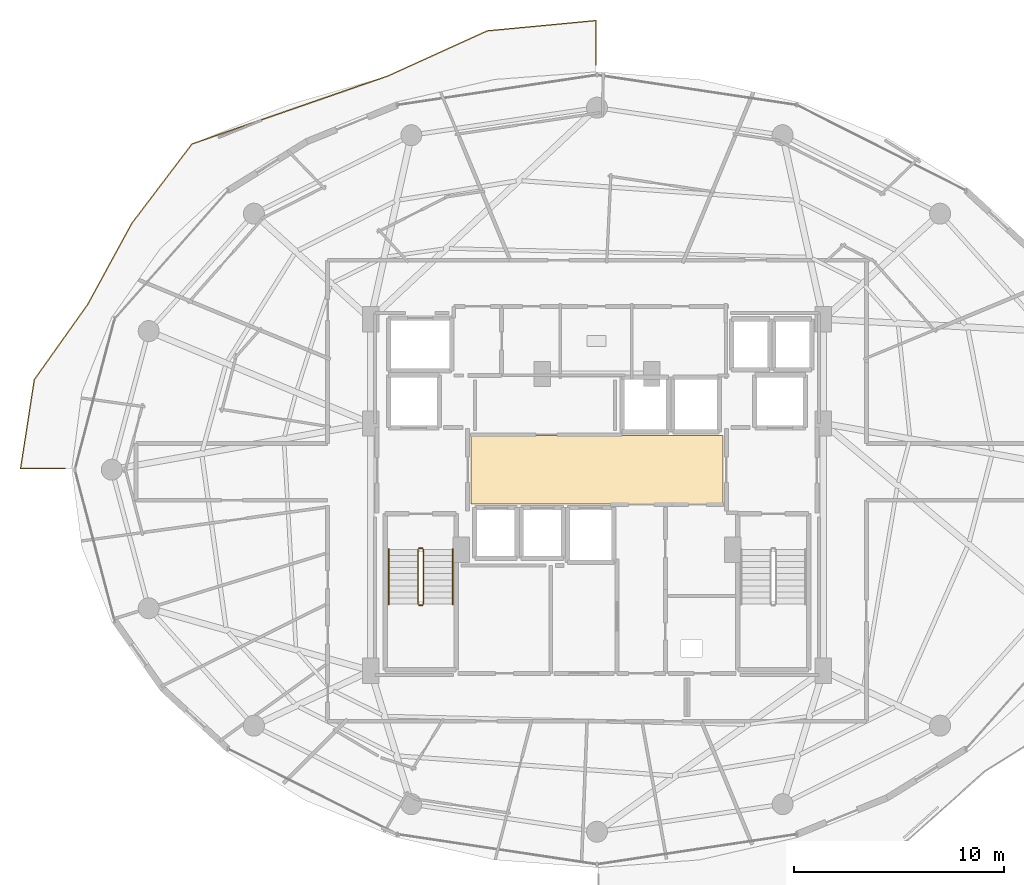
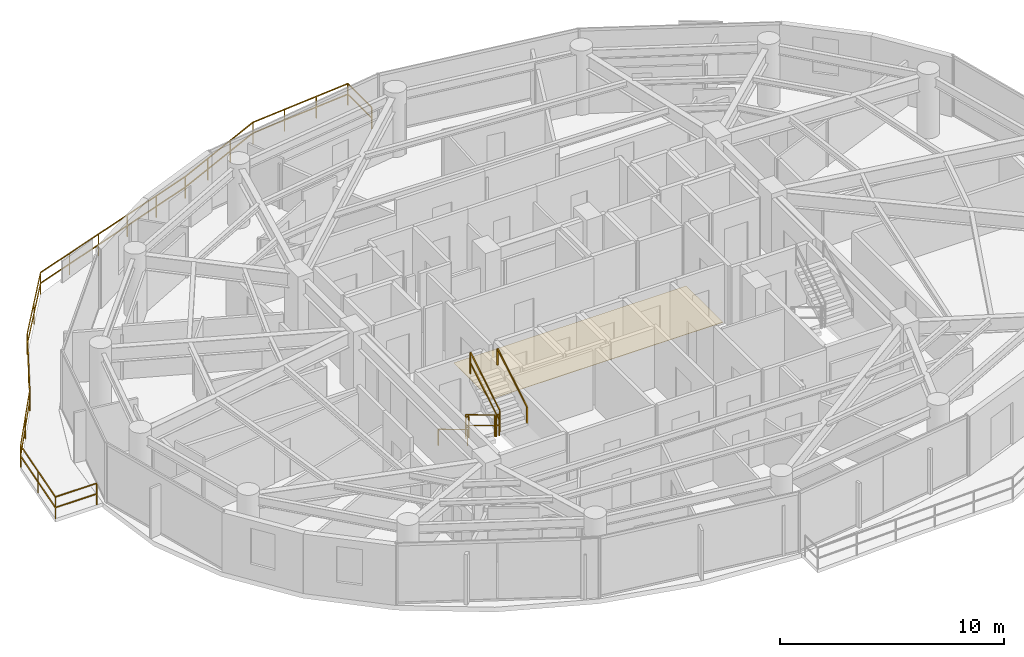
# One storey, part 26 of 29: 8 railings, 1 covering.
"""IFC4 building model written with IfcOpenShell, lengths in metres."""

from ifc_helpers import new_model, si_unit, direction, frame, origin, origin_2d, place, context, subcontext, project, spatial, polyline, rectangle, outline, extrude, material, layer, layer_set, type_object, element, save


model = new_model("IFC4")

# Units and contexts
model_context = context("Model", 3, precision=1e-05, world=origin(), true_north=direction((0.0, 1.0)))
body_context = subcontext(model_context, "Body", "Model", "MODEL_VIEW")
ifc_project = project(units=[si_unit("LENGTHUNIT", "METRE"), si_unit("AREAUNIT", "SQUARE_METRE"), si_unit("VOLUMEUNIT", "CUBIC_METRE"), si_unit("PLANEANGLEUNIT", "RADIAN"), si_unit("MASSUNIT", "GRAM", prefix="KILO")], contexts=[model_context])

# Site, building, storey
site_placement = place(None, origin())
site = spatial("IfcSite", under=ifc_project, at=site_placement, CompositionType="ELEMENT")
building_placement = place(site_placement, origin())
building = spatial("IfcBuilding", under=site, at=building_placement, Name="Vorneva Point Tower", CompositionType="ELEMENT")
storey_placement = place(building_placement, frame((0.0, 0.0, 167.60009765625)))
storey = spatial("IfcBuildingStorey", under=building, at=storey_placement, Name="L45", CompositionType="ELEMENT", Elevation=167.60009765625)

# Covering
ifc_material_1 = material(Name="Acoustic wool hospitality carpet", Category="textile")
ifc_layer = layer(ifc_material_1, 0.01806640625)
ifc_layer_set = layer_set([ifc_layer], Name="Acoustic wool hospitality carpet")
covering_type = type_object("IfcCoveringType", Name="COV-FLR-CRP", PredefinedType="FLOORING", material=ifc_layer_set)
covering_placement = place(storey_placement, frame((0.0, 0.0, -0.005126953125)))
element("IfcCovering", 1, at=covering_placement, inside=storey, type_object=covering_type, Name="L45 Lift Lobby Floor Finish", PredefinedType="FLOORING", context=body_context, shape_type="SweptSolid", body=[
    extrude(outline(polyline([(32.02001953125, 24.3701171875), (43.97998046875, 24.3701171875), (43.97998046875, 27.6298828125), (32.02001953125, 27.6298828125), (32.02001953125, 24.3701171875)])), origin(), (0.0, 0.0, 1.0), 0.02294921875),
])

# Railings
ifc_material_2 = material(Name="Pale anodised aluminium", Category="aluminium")
railing_type_1 = type_object("IfcRailingType", Name="RL-BAL-1200", PredefinedType="BALUSTRADE", material=ifc_material_2)
railing_1_placement = place(storey_placement, frame((10.61279296875, 26.050048828125, 0.0)))
element("IfcRailing", 2, at=railing_1_placement, inside=storey, type_object=railing_type_1, Name="L45 Wave Balcony Balustrade NW.1", PredefinedType="BALUSTRADE", context=body_context, shape_type="SweptSolid", body=[
    extrude(rectangle(XDim=0.048095703125, YDim=0.048095703125, at=origin_2d()), frame((0.0, 0.0, 1.17578125), z_axis=(1.0, 0.0, 0.0), x_axis=(0.0, 1.0, 0.0)), (0.0, 0.0, 1.0), 2.12109375),
    extrude(rectangle(XDim=0.048095703125, YDim=0.048095703125, at=origin_2d()), frame((0.0, 0.0, 0.60009765625), z_axis=(1.0, 0.0, 0.0), x_axis=(0.0, 1.0, 0.0)), (0.0, 0.0, 1.0), 2.12109375),
    extrude(rectangle(XDim=0.0419921875, YDim=0.0419921875, at=origin_2d()), origin(), (0.0, 0.0, 1.0), 1.15185546875),
    extrude(rectangle(XDim=0.0419921875, YDim=0.0419921875, at=origin_2d()), frame((2.12109375, 0.0, 0.0)), (0.0, 0.0, 1.0), 1.15185546875),
])
railing_2_placement = place(storey_placement, frame((37.949951171875, 45.21728515625, 0.0)))
element("IfcRailing", 3, at=railing_2_placement, inside=storey, type_object=railing_type_1, Name="L45 Wave Balcony Balustrade NW.2", PredefinedType="BALUSTRADE", context=body_context, shape_type="SweptSolid", body=[
    extrude(rectangle(XDim=0.048095703125, YDim=0.048095703125, at=origin_2d()), frame((0.0, 0.0, 1.17578125), z_axis=(0.0, 1.0, 0.0), x_axis=(-1.0, 0.0, 0.0)), (0.0, 0.0, 1.0), 2.123046875),
    extrude(rectangle(XDim=0.048095703125, YDim=0.048095703125, at=origin_2d()), frame((0.0, 0.0, 0.60009765625), z_axis=(0.0, 1.0, 0.0), x_axis=(-1.0, 0.0, 0.0)), (0.0, 0.0, 1.0), 2.123046875),
    extrude(rectangle(XDim=0.048095703125, YDim=0.048095703125, at=origin_2d()), frame((0.0, 2.123046875, 1.17578125), z_axis=(-0.995518701925, -0.094564867243, 0.0), x_axis=(0.094564867243, -0.995518701925, 0.0)), (0.0, 0.0, 1.0), 5.189208984375),
    extrude(rectangle(XDim=0.048095703125, YDim=0.048095703125, at=origin_2d()), frame((0.0, 2.123046875, 0.60009765625), z_axis=(-0.995518701925, -0.094564867243, 0.0), x_axis=(0.094564867243, -0.995518701925, 0.0)), (0.0, 0.0, 1.0), 5.189208984375),
    extrude(rectangle(XDim=0.048095703125, YDim=0.048095703125, at=origin_2d()), frame((-5.166015625, 1.63232421875, 1.17578125), z_axis=(-0.910479294849, -0.413554656184, 0.0), x_axis=(0.413554656184, -0.910479294849, 0.0)), (0.0, 0.0, 1.0), 5.186279296875),
    extrude(rectangle(XDim=0.048095703125, YDim=0.048095703125, at=origin_2d()), frame((-5.166015625, 1.63232421875, 0.60009765625), z_axis=(-0.910479294849, -0.413554656184, 0.0), x_axis=(0.413554656184, -0.910479294849, 0.0)), (0.0, 0.0, 1.0), 5.186279296875),
    extrude(rectangle(XDim=0.048095703125, YDim=0.048095703125, at=origin_2d()), frame((-9.887939453125, -0.512451171875, 1.17578125), z_axis=(-0.944758021877, -0.327768638064, 0.0), x_axis=(0.327768638064, -0.944758021877, 0.0)), (0.0, 0.0, 1.0), 9.848388671875),
    extrude(rectangle(XDim=0.048095703125, YDim=0.048095703125, at=origin_2d()), frame((-9.887939453125, -0.512451171875, 0.60009765625), z_axis=(-0.944758021877, -0.327768638064, 0.0), x_axis=(0.327768638064, -0.944758021877, 0.0)), (0.0, 0.0, 1.0), 9.848388671875),
    extrude(rectangle(XDim=0.048095703125, YDim=0.048095703125, at=origin_2d()), frame((-19.1923828125, -3.740478515625, 1.17578125), z_axis=(-0.604031248899, -0.796960632876, 0.0), x_axis=(0.796960632876, -0.604031248899, 0.0)), (0.0, 0.0, 1.0), 4.739013671875),
    extrude(rectangle(XDim=0.048095703125, YDim=0.048095703125, at=origin_2d()), frame((-19.1923828125, -3.740478515625, 0.60009765625), z_axis=(-0.604031248899, -0.796960632876, 0.0), x_axis=(0.796960632876, -0.604031248899, 0.0)), (0.0, 0.0, 1.0), 4.739013671875),
    extrude(rectangle(XDim=0.048095703125, YDim=0.048095703125, at=origin_2d()), frame((-22.054931640625, -7.517333984375, 1.17578125), z_axis=(-0.47774095838, -0.878500755086, 0.0), x_axis=(0.878500755086, -0.47774095838, 0.0)), (0.0, 0.0, 1.0), 4.373291015625),
    extrude(rectangle(XDim=0.048095703125, YDim=0.048095703125, at=origin_2d()), frame((-22.054931640625, -7.517333984375, 0.60009765625), z_axis=(-0.47774095838, -0.878500755086, 0.0), x_axis=(0.878500755086, -0.47774095838, 0.0)), (0.0, 0.0, 1.0), 4.373291015625),
    extrude(rectangle(XDim=0.048095703125, YDim=0.048095703125, at=origin_2d()), frame((-24.144287109375, -11.359375, 1.17578125), z_axis=(-0.578792383577, -0.815474939354, 0.0), x_axis=(0.815474939354, -0.578792383577, 0.0)), (0.0, 0.0, 1.0), 4.385986328125),
    extrude(rectangle(XDim=0.048095703125, YDim=0.048095703125, at=origin_2d()), frame((-24.144287109375, -11.359375, 0.60009765625), z_axis=(-0.578792383577, -0.815474939354, 0.0), x_axis=(0.815474939354, -0.578792383577, 0.0)), (0.0, 0.0, 1.0), 4.385986328125),
    extrude(rectangle(XDim=0.048095703125, YDim=0.048095703125, at=origin_2d()), frame((-26.682861328125, -14.93603515625, 1.17578125), z_axis=(-0.152819853891, -0.988254062606, 0.0), x_axis=(0.988254062606, -0.152819853891, 0.0)), (0.0, 0.0, 1.0), 4.281494140625),
    extrude(rectangle(XDim=0.048095703125, YDim=0.048095703125, at=origin_2d()), frame((-26.682861328125, -14.93603515625, 0.60009765625), z_axis=(-0.152819853891, -0.988254062606, 0.0), x_axis=(0.988254062606, -0.152819853891, 0.0)), (0.0, 0.0, 1.0), 4.281494140625),
    extrude(rectangle(XDim=0.0419921875, YDim=0.0419921875, at=origin_2d()), origin(), (0.0, 0.0, 1.0), 1.15185546875),
    extrude(rectangle(XDim=0.0419921875, YDim=0.0419921875, at=origin_2d()), frame((0.0, 2.123046875, 0.0)), (0.0, 0.0, 1.0), 1.15185546875),
    extrude(rectangle(XDim=0.0419921875, YDim=0.0419921875, at=origin_2d()), frame((-1.721923828125, 1.95947265625, 0.0)), (0.0, 0.0, 1.0), 1.15185546875),
    extrude(rectangle(XDim=0.0419921875, YDim=0.0419921875, at=origin_2d()), frame((-3.444091796875, 1.7958984375, 0.0)), (0.0, 0.0, 1.0), 1.15185546875),
    extrude(rectangle(XDim=0.0419921875, YDim=0.0419921875, at=origin_2d()), frame((-5.166015625, 1.63232421875, 0.0)), (0.0, 0.0, 1.0), 1.15185546875),
    extrude(rectangle(XDim=0.0419921875, YDim=0.0419921875, at=origin_2d()), frame((-6.739990234375, 0.91748046875, 0.0)), (0.0, 0.0, 1.0), 1.15185546875),
    extrude(rectangle(XDim=0.0419921875, YDim=0.0419921875, at=origin_2d()), frame((-8.31396484375, 0.202392578125, 0.0)), (0.0, 0.0, 1.0), 1.15185546875),
    extrude(rectangle(XDim=0.0419921875, YDim=0.0419921875, at=origin_2d()), frame((-9.887939453125, -0.512451171875, 0.0)), (0.0, 0.0, 1.0), 1.15185546875),
    extrude(rectangle(XDim=0.0419921875, YDim=0.0419921875, at=origin_2d()), frame((-11.748779296875, -1.157958984375, 0.0)), (0.0, 0.0, 1.0), 1.15185546875),
    extrude(rectangle(XDim=0.0419921875, YDim=0.0419921875, at=origin_2d()), frame((-13.609619140625, -1.8037109375, 0.0)), (0.0, 0.0, 1.0), 1.15185546875),
    extrude(rectangle(XDim=0.0419921875, YDim=0.0419921875, at=origin_2d()), frame((-15.470703125, -2.44921875, 0.0)), (0.0, 0.0, 1.0), 1.15185546875),
    extrude(rectangle(XDim=0.0419921875, YDim=0.0419921875, at=origin_2d()), frame((-17.33154296875, -3.094970703125, 0.0)), (0.0, 0.0, 1.0), 1.15185546875),
    extrude(rectangle(XDim=0.0419921875, YDim=0.0419921875, at=origin_2d()), frame((-19.1923828125, -3.740478515625, 0.0)), (0.0, 0.0, 1.0), 1.15185546875),
    extrude(rectangle(XDim=0.0419921875, YDim=0.0419921875, at=origin_2d()), frame((-20.62353515625, -5.62890625, 0.0)), (0.0, 0.0, 1.0), 1.15185546875),
    extrude(rectangle(XDim=0.0419921875, YDim=0.0419921875, at=origin_2d()), frame((-22.054931640625, -7.517333984375, 0.0)), (0.0, 0.0, 1.0), 1.15185546875),
    extrude(rectangle(XDim=0.0419921875, YDim=0.0419921875, at=origin_2d()), frame((-23.099609375, -9.4384765625, 0.0)), (0.0, 0.0, 1.0), 1.15185546875),
    extrude(rectangle(XDim=0.0419921875, YDim=0.0419921875, at=origin_2d()), frame((-24.144287109375, -11.359375, 0.0)), (0.0, 0.0, 1.0), 1.15185546875),
    extrude(rectangle(XDim=0.0419921875, YDim=0.0419921875, at=origin_2d()), frame((-25.41357421875, -13.147705078125, 0.0)), (0.0, 0.0, 1.0), 1.15185546875),
    extrude(rectangle(XDim=0.0419921875, YDim=0.0419921875, at=origin_2d()), frame((-26.682861328125, -14.93603515625, 0.0)), (0.0, 0.0, 1.0), 1.15185546875),
    extrude(rectangle(XDim=0.0419921875, YDim=0.0419921875, at=origin_2d()), frame((-27.010009765625, -17.0517578125, 0.0)), (0.0, 0.0, 1.0), 1.15185546875),
    extrude(rectangle(XDim=0.0419921875, YDim=0.0419921875, at=origin_2d()), frame((-27.337158203125, -19.167236328125, 0.0)), (0.0, 0.0, 1.0), 1.15185546875),
])
ifc_material_3 = material(Name="Brushed stainless steel S304", Category="steel")
railing_type_2 = type_object("IfcRailingType", Name="RL-HND-920", PredefinedType="HANDRAIL", material=ifc_material_3)
railing_3_placement = place(storey_placement, frame((28.10009765625, 22.219970703125, 0.1748046875)))
element("IfcRailing", 4, at=railing_3_placement, inside=storey, type_object=railing_type_2, Name="L45 ST1 stair handrail 1", PredefinedType="HANDRAIL", context=body_context, shape_type="SweptSolid", body=[
    extrude(rectangle(XDim=0.048095703125, YDim=0.048095703125, at=origin_2d()), frame((0.0, 0.0, 0.8759765625), z_axis=(0.0, -0.856147343639, 0.516731773728), x_axis=(1.0, 0.0, 0.0)), (0.0, 0.0, 1.0), 3.04833984375),
    extrude(rectangle(XDim=0.0419921875, YDim=0.0419921875, at=origin_2d()), origin(), (0.0, 0.0, 1.0), 0.851806640625),
    extrude(rectangle(XDim=0.0419921875, YDim=0.0419921875, at=origin_2d()), frame((0.0, -2.60986328125, 1.5751953125)), (0.0, 0.0, 1.0), 0.851806640625),
])
railing_4_placement = place(storey_placement, frame((31.14990234375, 19.610107421875, 1.9248046875)))
element("IfcRailing", 5, at=railing_4_placement, inside=storey, type_object=railing_type_2, Name="L45 ST1 stair handrail 2", PredefinedType="HANDRAIL", context=body_context, shape_type="SweptSolid", body=[
    extrude(rectangle(XDim=0.048095703125, YDim=0.048095703125, at=origin_2d()), frame((0.0, 0.0, 0.8759765625), z_axis=(0.0, 0.856147343639, 0.516731773728), x_axis=(-1.0, 0.0, 0.0)), (0.0, 0.0, 1.0), 3.04833984375),
    extrude(rectangle(XDim=0.0419921875, YDim=0.0419921875, at=origin_2d()), origin(), (0.0, 0.0, 1.0), 0.851806640625),
    extrude(rectangle(XDim=0.0419921875, YDim=0.0419921875, at=origin_2d()), frame((0.0, 2.60986328125, 1.5751953125)), (0.0, 0.0, 1.0), 0.851806640625),
])
railing_type_3 = type_object("IfcRailingType", Name="RL-STG-1100", PredefinedType="GUARDRAIL", material=ifc_material_3)
railing_5_placement = place(storey_placement, frame((29.5, 22.219970703125, 0.1748046875)))
element("IfcRailing", 6, at=railing_5_placement, inside=storey, type_object=railing_type_3, Name="L45 ST1 stair guard 1", PredefinedType="GUARDRAIL", context=body_context, shape_type="SweptSolid", body=[
    extrude(rectangle(XDim=0.048095703125, YDim=0.048095703125, at=origin_2d()), frame((0.0, 0.0, 1.17578125), z_axis=(0.0, -0.856147343639, 0.516731773728), x_axis=(1.0, 0.0, 0.0)), (0.0, 0.0, 1.0), 3.04833984375),
    extrude(rectangle(XDim=0.048095703125, YDim=0.048095703125, at=origin_2d()), frame((0.0, 0.0, 0.60009765625), z_axis=(0.0, -0.856147343639, 0.516731773728), x_axis=(1.0, 0.0, 0.0)), (0.0, 0.0, 1.0), 3.04833984375),
    extrude(rectangle(XDim=0.0419921875, YDim=0.0419921875, at=origin_2d()), origin(), (0.0, 0.0, 1.0), 1.15185546875),
    extrude(rectangle(XDim=0.0419921875, YDim=0.0419921875, at=origin_2d()), frame((0.0, -2.60986328125, 1.5751953125)), (0.0, 0.0, 1.0), 1.15185546875),
])
railing_6_placement = place(storey_placement, frame((29.550048828125, 19.56005859375, 1.75)))
element("IfcRailing", 7, at=railing_6_placement, inside=storey, type_object=railing_type_3, Name="L45 ST1 stair guard 2", PredefinedType="GUARDRAIL", context=body_context, shape_type="SweptSolid", body=[
    extrude(rectangle(XDim=0.048095703125, YDim=0.048095703125, at=origin_2d()), frame((0.0, 0.0, 1.17578125), z_axis=(1.0, 0.0, 0.0), x_axis=(0.0, 1.0, 0.0)), (0.0, 0.0, 1.0), 0.14990234375),
    extrude(rectangle(XDim=0.048095703125, YDim=0.048095703125, at=origin_2d()), frame((0.0, 0.0, 0.60009765625), z_axis=(1.0, 0.0, 0.0), x_axis=(0.0, 1.0, 0.0)), (0.0, 0.0, 1.0), 0.14990234375),
    extrude(rectangle(XDim=0.0419921875, YDim=0.0419921875, at=origin_2d()), origin(), (0.0, 0.0, 1.0), 1.15185546875),
    extrude(rectangle(XDim=0.0419921875, YDim=0.0419921875, at=origin_2d()), frame((0.14990234375, 0.0, 0.0)), (0.0, 0.0, 1.0), 1.15185546875),
])
railing_7_placement = place(storey_placement, frame((29.75, 19.610107421875, 1.9248046875)))
element("IfcRailing", 8, at=railing_7_placement, inside=storey, type_object=railing_type_3, Name="L45 ST1 stair guard 3", PredefinedType="GUARDRAIL", context=body_context, shape_type="SweptSolid", body=[
    extrude(rectangle(XDim=0.048095703125, YDim=0.048095703125, at=origin_2d()), frame((0.0, 0.0, 1.17578125), z_axis=(0.0, 0.856147343639, 0.516731773728), x_axis=(-1.0, 0.0, 0.0)), (0.0, 0.0, 1.0), 3.04833984375),
    extrude(rectangle(XDim=0.048095703125, YDim=0.048095703125, at=origin_2d()), frame((0.0, 0.0, 0.60009765625), z_axis=(0.0, 0.856147343639, 0.516731773728), x_axis=(-1.0, 0.0, 0.0)), (0.0, 0.0, 1.0), 3.04833984375),
    extrude(rectangle(XDim=0.0419921875, YDim=0.0419921875, at=origin_2d()), origin(), (0.0, 0.0, 1.0), 1.15185546875),
    extrude(rectangle(XDim=0.0419921875, YDim=0.0419921875, at=origin_2d()), frame((0.0, 2.60986328125, 1.5751953125)), (0.0, 0.0, 1.0), 1.15185546875),
])
railing_8_placement = place(storey_placement, frame((29.550048828125, 22.27001953125, 0.0)))
element("IfcRailing", 9, at=railing_8_placement, inside=storey, type_object=railing_type_3, Name="L45 ST1 stair guard 4", PredefinedType="GUARDRAIL", context=body_context, shape_type="SweptSolid", body=[
    extrude(rectangle(XDim=0.048095703125, YDim=0.048095703125, at=origin_2d()), frame((0.0, 0.0, 1.17578125), z_axis=(1.0, 0.0, 0.0), x_axis=(0.0, 1.0, 0.0)), (0.0, 0.0, 1.0), 0.14990234375),
    extrude(rectangle(XDim=0.048095703125, YDim=0.048095703125, at=origin_2d()), frame((0.0, 0.0, 0.60009765625), z_axis=(1.0, 0.0, 0.0), x_axis=(0.0, 1.0, 0.0)), (0.0, 0.0, 1.0), 0.14990234375),
    extrude(rectangle(XDim=0.0419921875, YDim=0.0419921875, at=origin_2d()), origin(), (0.0, 0.0, 1.0), 1.15185546875),
    extrude(rectangle(XDim=0.0419921875, YDim=0.0419921875, at=origin_2d()), frame((0.14990234375, 0.0, 0.0)), (0.0, 0.0, 1.0), 1.15185546875),
])

save(model, "model.ifc")
